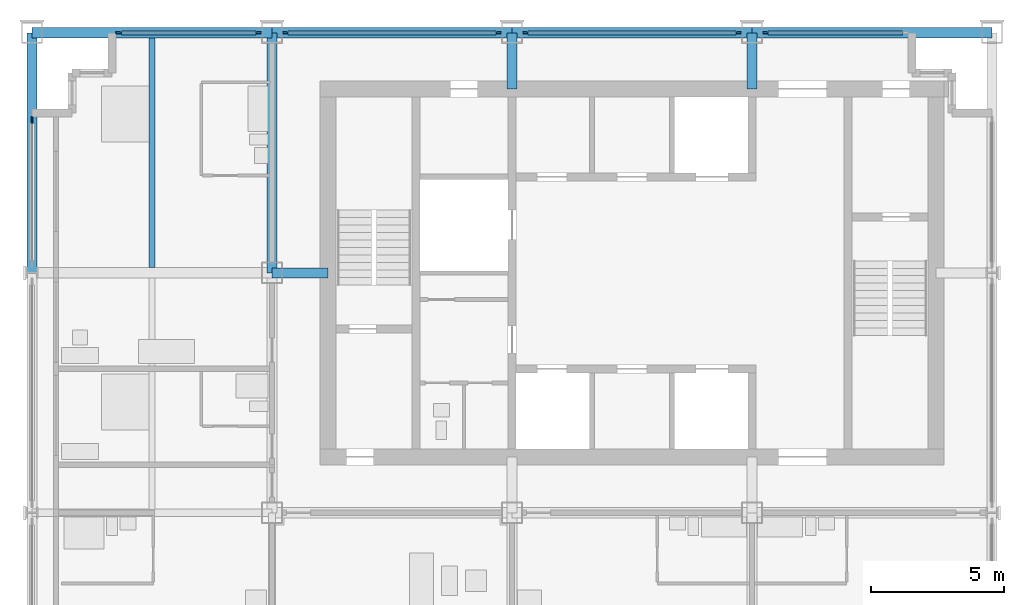
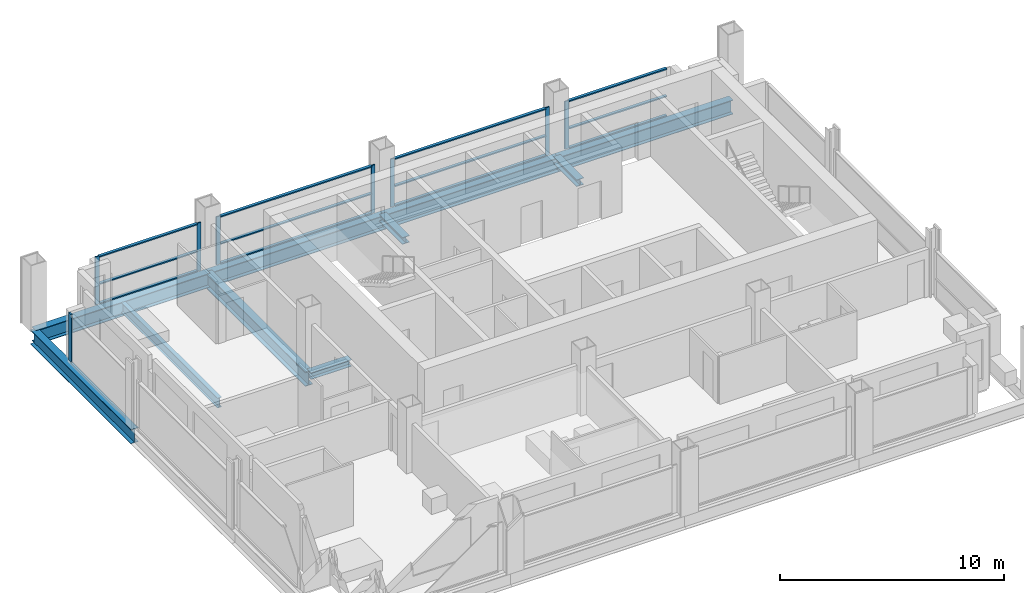
# One storey, part 3 of 11: 23 members, 7 beams, 5 elements without a shape of their own.
"""IFC4 building model written with IfcOpenShell, lengths in metres."""

from ifc_helpers import new_model, si_unit, direction, frame, origin, origin_2d, place, context, subcontext, project, spatial, rectangle, i_section, extrude, material, material_profile, profile_set, type_object, element, aggregate, save


model = new_model("IFC4")

# Units and contexts
model_context = context("Model", 3, precision=1e-05, world=origin(), true_north=direction((0.0, 1.0)))
body_context = subcontext(model_context, "Body", "Model", "MODEL_VIEW")
ifc_project = project(units=[si_unit("LENGTHUNIT", "METRE"), si_unit("AREAUNIT", "SQUARE_METRE"), si_unit("VOLUMEUNIT", "CUBIC_METRE"), si_unit("PLANEANGLEUNIT", "RADIAN"), si_unit("MASSUNIT", "GRAM", prefix="KILO")], contexts=[model_context])

# Site, building, storey
site_placement = place(None, origin())
site = spatial("IfcSite", under=ifc_project, at=site_placement, CompositionType="ELEMENT")
building_placement = place(site_placement, origin())
building = spatial("IfcBuilding", under=site, at=building_placement, Name="Loomwork Tower", CompositionType="ELEMENT")
storey_placement = place(building_placement, frame((0.0, 0.0, 244.60009765625)))
storey = spatial("IfcBuildingStorey", under=building, at=storey_placement, Name="L67", CompositionType="ELEMENT", Elevation=244.60009765625)

# Beam
ifc_material_1 = material(Name="Steel ASTM A992", Category="steel")
ifc_material_profile_1 = material_profile(ifc_material_1, i_section(OverallWidth=0.383544921875, OverallDepth=0.794921875, WebThickness=0.02099609375, FlangeThickness=0.0380859375, at=origin_2d()), Name="W30x235")
ifc_profile_set_1 = profile_set([ifc_material_profile_1], Name="Steel ASTM A992")
beam_type_1 = type_object("IfcBeamType", Name="CORE FLANK GIRDER W30x235", PredefinedType="BEAM", material=ifc_profile_set_1)
beam_1_placement = place(storey_placement, frame((9.0, 18.0, -0.59765625), z_axis=(0.0, 1.0, 0.0), x_axis=(-1.0, 0.0, 0.0)))
element("IfcBeam", 1, at=beam_1_placement, inside=storey, type_object=beam_type_1, Name="Core Flank Girder F/3-G/3 L67", PredefinedType="BEAM", context=body_context, shape_type="SweptSolid", body=[
    extrude(i_section(OverallWidth=0.383544921875, OverallDepth=0.794921875, WebThickness=0.02099609375, FlangeThickness=0.0380859375, at=origin_2d()), origin(), (0.0, 0.0, 1.0), 9.0),
])

# Members
ifc_material_2 = material(Name="Steel ASTM A992", Category="steel")
ifc_material_profile_2 = material_profile(ifc_material_2, i_section(OverallWidth=0.373291015625, OverallDepth=0.373291015625, WebThickness=0.016357421875, FlangeThickness=0.026123046875, at=origin_2d()), Name="W14x132")
ifc_profile_set_2 = profile_set([ifc_material_profile_2], Name="Steel ASTM A992")
member_type_1 = type_object("IfcMemberType", Name="CORE LINK STRUT W14x132", PredefinedType="STRUT", material=ifc_profile_set_2)
for number, where, z_axis, x_axis, name in (
    (2, (18.0, 27.0, -0.38671875), (0.0, -1.0, 0.0), (1.0, 0.0, 0.0), "Core link strut G/4-18.000,24.900 L67"),
    (3, (27.0, 27.0, -0.38671875), (0.0, -1.0, 0.0), (1.0, 0.0, 0.0), "Core link strut G/5-27.000,24.900 L67"),
    (4, (9.0, 18.0, -0.38671875), (1.0, 0.0, 0.0), (0.0, 1.0, 0.0), "Core link strut F/3-11.100,18.000 L67"),
):
    element("IfcMember", number, at=place(storey_placement, frame(where, z_axis=z_axis, x_axis=x_axis)), inside=storey, type_object=member_type_1, Name=name, PredefinedType="STRUT", context=body_context, shape_type="SweptSolid", body=[
        extrude(i_section(OverallWidth=0.373291015625, OverallDepth=0.373291015625, WebThickness=0.016357421875, FlangeThickness=0.026123046875, at=origin_2d()), origin(), (0.0, 0.0, 1.0), 2.10009765625),
    ])

# Beam
ifc_material_3 = material(Name="Steel ASTM A992", Category="steel")
ifc_material_profile_3 = material_profile(ifc_material_3, i_section(OverallWidth=0.2109375, OverallDepth=0.53857421875, WebThickness=0.011474609375, FlangeThickness=0.018798828125, at=origin_2d()), Name="W21x73")
ifc_profile_set_3 = profile_set([ifc_material_profile_3], Name="Steel ASTM A992")
beam_type_2 = type_object("IfcBeamType", Name="FLOOR JOIST W21x73", PredefinedType="JOIST", material=ifc_profile_set_3)
beam_2_placement = place(storey_placement, frame((4.5, 18.19091796875, -0.46923828125), z_axis=(0.0, 1.0, 0.0), x_axis=(-1.0, 0.0, 0.0)))
element("IfcBeam", 5, at=beam_2_placement, inside=storey, type_object=beam_type_2, Name="Floor Joist 4.500,18.000-4.500,27.000 L67", PredefinedType="JOIST", context=body_context, shape_type="SweptSolid", body=[
    extrude(i_section(OverallWidth=0.2109375, OverallDepth=0.53857421875, WebThickness=0.011474609375, FlangeThickness=0.018798828125, at=origin_2d()), origin(), (0.0, 0.0, 1.0), 8.619140625),
])

# Curtain wall, member
ifc_material_4 = material(Name="Aluminium curtain wall frame", Category="aluminium")
curtain_wall_type_1 = type_object("IfcCurtainWallType", Name="Outer skin glazing suites", PredefinedType="NOTDEFINED", material=ifc_material_4)
curtain_wall_1_placement = place(storey_placement, origin())
curtain_wall_1 = element("IfcCurtainWall", 6, at=curtain_wall_1_placement, inside=storey, type_object=curtain_wall_type_1, Name="Outer skin glazing suites cw/W-18", PredefinedType="NOTDEFINED")
ifc_material_5 = material(Name="Aluminium curtain wall frame", Category="aluminium")
ifc_material_profile_4 = material_profile(ifc_material_5, rectangle(XDim=0.06494140625, YDim=0.25, at=origin_2d()), Name="AL 65x250")
ifc_profile_set_4 = profile_set([ifc_material_profile_4], Name="Aluminium curtain wall frame")
member_type_2 = type_object("IfcMemberType", Name="Outer skin glazing suites mullion", PredefinedType="MULLION", material=ifc_profile_set_4)
member_1_placement = place(storey_placement, frame((0.0, 23.72509765625, 0.0), z_axis=(0.0, 0.0, 1.0), x_axis=(1.0, 0.0, 0.0)))
member_1 = element("IfcMember", 7, at=member_1_placement, type_object=member_type_2, Name="CW2 mullion 1", PredefinedType="MULLION", context=body_context, shape_type="SweptSolid", body=[
    extrude(rectangle(XDim=0.06494140625, YDim=0.25, at=origin_2d()), origin(), (0.0, 0.0, 1.0), 2.6201171875),
])
aggregate(curtain_wall_1, [member_1])

# Beams
ifc_material_6 = material(Name="Steel ASTM A992", Category="steel")
ifc_material_profile_5 = material_profile(ifc_material_6, i_section(OverallWidth=0.381103515625, OverallDepth=0.77978515625, WebThickness=0.01806640625, FlangeThickness=0.0302734375, at=origin_2d()), Name="W30x191")
ifc_profile_set_5 = profile_set([ifc_material_profile_5], Name="Steel ASTM A992")
beam_type_3 = type_object("IfcBeamType", Name="SPANDREL GIRDER W30x191", PredefinedType="SPANDREL", material=ifc_profile_set_5)
for number, where, z_axis, x_axis, name in (
    (8, (0.0, 27.0, -0.590087890625), (1.0, 0.0, 0.0), (0.0, 1.0, 0.0), "Spandrel Girder G/2-G/3 L67"),
    (9, (9.0, 27.0, -0.590087890625), (1.0, 0.0, 0.0), (0.0, 1.0, 0.0), "Spandrel Girder G/3-G/4 L67"),
    (10, (18.0, 27.0, -0.590087890625), (1.0, 0.0, 0.0), (0.0, 1.0, 0.0), "Spandrel Girder G/4-G/5 L67"),
    (11, (27.0, 27.0, -0.590087890625), (1.0, 0.0, 0.0), (0.0, 1.0, 0.0), "Spandrel Girder G/5-G/6 L67"),
    (12, (0.0, 18.0, -0.590087890625), (0.0, 1.0, 0.0), (-1.0, 0.0, 0.0), "Spandrel Girder F/2-G/2 L67"),
):
    element("IfcBeam", number, at=place(storey_placement, frame(where, z_axis=z_axis, x_axis=x_axis)), inside=storey, type_object=beam_type_3, Name=name, PredefinedType="SPANDREL", context=body_context, shape_type="SweptSolid", body=[
        extrude(i_section(OverallWidth=0.381103515625, OverallDepth=0.77978515625, WebThickness=0.01806640625, FlangeThickness=0.0302734375, at=origin_2d()), origin(), (0.0, 0.0, 1.0), 9.0),
    ])

# Curtain wall, members
ifc_material_7 = material(Name="Aluminium curtain wall frame", Category="aluminium")
curtain_wall_type_2 = type_object("IfcCurtainWallType", Name="Single skin glazing corridor", PredefinedType="NOTDEFINED", material=ifc_material_7)
curtain_wall_2_placement = place(storey_placement, origin())
curtain_wall_2 = element("IfcCurtainWall", 13, at=curtain_wall_2_placement, inside=storey, type_object=curtain_wall_type_2, Name="Single skin glazing corridor cw/N-0", PredefinedType="NOTDEFINED")
ifc_material_8 = material(Name="Aluminium curtain wall frame", Category="aluminium")
ifc_material_profile_6 = material_profile(ifc_material_8, rectangle(XDim=0.06494140625, YDim=0.199951171875, at=origin_2d()), Name="AL 65x200")
ifc_profile_set_6 = profile_set([ifc_material_profile_6], Name="Aluminium curtain wall frame")
member_type_3 = type_object("IfcMemberType", Name="Single skin glazing corridor mullion", PredefinedType="MULLION", material=ifc_profile_set_6)
member_2_placement = place(storey_placement, frame((8.5, 27.0, 0.0), z_axis=(0.0, 0.0, 1.0), x_axis=(0.0, -1.0, 0.0)))
member_2 = element("IfcMember", 14, at=member_2_placement, type_object=member_type_3, Name="CW3 mullion 1", PredefinedType="MULLION", context=body_context, shape_type="SweptSolid", body=[
    extrude(rectangle(XDim=0.06494140625, YDim=0.199951171875, at=origin_2d()), origin(), (0.0, 0.0, 1.0), 2.6201171875),
])
member_3_placement = place(storey_placement, frame((3.25, 27.0, 0.0), z_axis=(0.0, 0.0, 1.0), x_axis=(0.0, -1.0, 0.0)))
member_3 = element("IfcMember", 15, at=member_3_placement, type_object=member_type_3, Name="CW3 mullion 2", PredefinedType="MULLION", context=body_context, shape_type="SweptSolid", body=[
    extrude(rectangle(XDim=0.06494140625, YDim=0.199951171875, at=origin_2d()), origin(), (0.0, 0.0, 1.0), 2.6201171875),
])

curtain_wall_3_placement = place(storey_placement, origin())
curtain_wall_3 = element("IfcCurtainWall", 16, at=curtain_wall_3_placement, inside=storey, type_object=curtain_wall_type_2, Name="Single skin glazing corridor cw/N-9", PredefinedType="NOTDEFINED")
member_4_placement = place(storey_placement, frame((17.5, 27.0, 0.0), z_axis=(0.0, 0.0, 1.0), x_axis=(0.0, -1.0, 0.0)))
member_4 = element("IfcMember", 17, at=member_4_placement, type_object=member_type_3, Name="CW3 mullion 1", PredefinedType="MULLION", context=body_context, shape_type="SweptSolid", body=[
    extrude(rectangle(XDim=0.06494140625, YDim=0.199951171875, at=origin_2d()), origin(), (0.0, 0.0, 1.0), 2.6201171875),
])
member_5_placement = place(storey_placement, frame((9.5, 27.0, 0.0), z_axis=(0.0, 0.0, 1.0), x_axis=(0.0, -1.0, 0.0)))
member_5 = element("IfcMember", 18, at=member_5_placement, type_object=member_type_3, Name="CW3 mullion 2", PredefinedType="MULLION", context=body_context, shape_type="SweptSolid", body=[
    extrude(rectangle(XDim=0.06494140625, YDim=0.199951171875, at=origin_2d()), origin(), (0.0, 0.0, 1.0), 2.6201171875),
])

curtain_wall_4_placement = place(storey_placement, origin())
curtain_wall_4 = element("IfcCurtainWall", 19, at=curtain_wall_4_placement, inside=storey, type_object=curtain_wall_type_2, Name="Single skin glazing corridor cw/N-18", PredefinedType="NOTDEFINED")
member_6_placement = place(storey_placement, frame((26.5, 27.0, 0.0), z_axis=(0.0, 0.0, 1.0), x_axis=(0.0, -1.0, 0.0)))
member_6 = element("IfcMember", 20, at=member_6_placement, type_object=member_type_3, Name="CW3 mullion 1", PredefinedType="MULLION", context=body_context, shape_type="SweptSolid", body=[
    extrude(rectangle(XDim=0.06494140625, YDim=0.199951171875, at=origin_2d()), origin(), (0.0, 0.0, 1.0), 2.6201171875),
])
member_7_placement = place(storey_placement, frame((18.5, 27.0, 0.0), z_axis=(0.0, 0.0, 1.0), x_axis=(0.0, -1.0, 0.0)))
member_7 = element("IfcMember", 21, at=member_7_placement, type_object=member_type_3, Name="CW3 mullion 2", PredefinedType="MULLION", context=body_context, shape_type="SweptSolid", body=[
    extrude(rectangle(XDim=0.06494140625, YDim=0.199951171875, at=origin_2d()), origin(), (0.0, 0.0, 1.0), 2.6201171875),
])

# Curtain wall, member
curtain_wall_5_placement = place(storey_placement, origin())
curtain_wall_5 = element("IfcCurtainWall", 22, at=curtain_wall_5_placement, inside=storey, type_object=curtain_wall_type_2, Name="Single skin glazing corridor cw/N-27", PredefinedType="NOTDEFINED")
member_8_placement = place(storey_placement, frame((27.5, 27.0, 0.0), z_axis=(0.0, 0.0, 1.0), x_axis=(0.0, -1.0, 0.0)))
member_8 = element("IfcMember", 23, at=member_8_placement, type_object=member_type_3, Name="CW3 mullion 2", PredefinedType="MULLION", context=body_context, shape_type="SweptSolid", body=[
    extrude(rectangle(XDim=0.06494140625, YDim=0.199951171875, at=origin_2d()), origin(), (0.0, 0.0, 1.0), 2.6201171875),
])

# Member
ifc_material_9 = material(Name="Aluminium curtain wall frame", Category="aluminium")
ifc_material_profile_7 = material_profile(ifc_material_9, rectangle(XDim=0.14990234375, YDim=0.06494140625, at=origin_2d()), Name="AL 65x150")
ifc_profile_set_7 = profile_set([ifc_material_profile_7], Name="Aluminium curtain wall frame")
member_type_4 = type_object("IfcMemberType", Name="Single skin glazing corridor transom", PredefinedType="USERDEFINED", material=ifc_profile_set_7)
member_9_placement = place(storey_placement, frame((8.39990234375, 27.0, 0.032470703125), z_axis=(-1.0, 0.0, 0.0), x_axis=(0.0, -1.0, 0.0)))
member_9 = element("IfcMember", 24, at=member_9_placement, type_object=member_type_4, Name="CW3 transom 1.1", ObjectType="TRANSOM", PredefinedType="USERDEFINED", context=body_context, shape_type="SweptSolid", body=[
    extrude(rectangle(XDim=0.14990234375, YDim=0.06494140625, at=origin_2d()), origin(), (0.0, 0.0, 1.0), 5.0498046875),
])

member_10_placement = place(storey_placement, frame((8.39990234375, 27.0, 1.099853515625), z_axis=(-1.0, 0.0, 0.0), x_axis=(0.0, -1.0, 0.0)))
member_10 = element("IfcMember", 25, at=member_10_placement, type_object=member_type_4, Name="CW3 transom 1.2", ObjectType="TRANSOM", PredefinedType="USERDEFINED", context=body_context, shape_type="SweptSolid", body=[
    extrude(rectangle(XDim=0.14990234375, YDim=0.06494140625, at=origin_2d()), origin(), (0.0, 0.0, 1.0), 5.0498046875),
])

member_11_placement = place(storey_placement, frame((8.39990234375, 27.0, 2.587646484375), z_axis=(-1.0, 0.0, 0.0), x_axis=(0.0, -1.0, 0.0)))
member_11 = element("IfcMember", 26, at=member_11_placement, type_object=member_type_4, Name="CW3 transom 1.3", ObjectType="TRANSOM", PredefinedType="USERDEFINED", context=body_context, shape_type="SweptSolid", body=[
    extrude(rectangle(XDim=0.14990234375, YDim=0.06494140625, at=origin_2d()), origin(), (0.0, 0.0, 1.0), 5.0498046875),
])

aggregate(curtain_wall_2, [member_2, member_3, member_9, member_10, member_11])

member_12_placement = place(storey_placement, frame((17.39990234375, 27.0, 0.032470703125), z_axis=(-1.0, 0.0, 0.0), x_axis=(0.0, -1.0, 0.0)))
member_12 = element("IfcMember", 27, at=member_12_placement, type_object=member_type_4, Name="CW3 transom 1.1", ObjectType="TRANSOM", PredefinedType="USERDEFINED", context=body_context, shape_type="SweptSolid", body=[
    extrude(rectangle(XDim=0.14990234375, YDim=0.06494140625, at=origin_2d()), origin(), (0.0, 0.0, 1.0), 7.7998046875),
])

member_13_placement = place(storey_placement, frame((17.39990234375, 27.0, 1.099853515625), z_axis=(-1.0, 0.0, 0.0), x_axis=(0.0, -1.0, 0.0)))
member_13 = element("IfcMember", 28, at=member_13_placement, type_object=member_type_4, Name="CW3 transom 1.2", ObjectType="TRANSOM", PredefinedType="USERDEFINED", context=body_context, shape_type="SweptSolid", body=[
    extrude(rectangle(XDim=0.14990234375, YDim=0.06494140625, at=origin_2d()), origin(), (0.0, 0.0, 1.0), 7.7998046875),
])

member_14_placement = place(storey_placement, frame((17.39990234375, 27.0, 2.587646484375), z_axis=(-1.0, 0.0, 0.0), x_axis=(0.0, -1.0, 0.0)))
member_14 = element("IfcMember", 29, at=member_14_placement, type_object=member_type_4, Name="CW3 transom 1.3", ObjectType="TRANSOM", PredefinedType="USERDEFINED", context=body_context, shape_type="SweptSolid", body=[
    extrude(rectangle(XDim=0.14990234375, YDim=0.06494140625, at=origin_2d()), origin(), (0.0, 0.0, 1.0), 7.7998046875),
])

aggregate(curtain_wall_3, [member_4, member_5, member_12, member_13, member_14])

member_15_placement = place(storey_placement, frame((26.39990234375, 27.0, 0.032470703125), z_axis=(-1.0, 0.0, 0.0), x_axis=(0.0, -1.0, 0.0)))
member_15 = element("IfcMember", 30, at=member_15_placement, type_object=member_type_4, Name="CW3 transom 1.1", ObjectType="TRANSOM", PredefinedType="USERDEFINED", context=body_context, shape_type="SweptSolid", body=[
    extrude(rectangle(XDim=0.14990234375, YDim=0.06494140625, at=origin_2d()), origin(), (0.0, 0.0, 1.0), 7.7998046875),
])

member_16_placement = place(storey_placement, frame((26.39990234375, 27.0, 1.099853515625), z_axis=(-1.0, 0.0, 0.0), x_axis=(0.0, -1.0, 0.0)))
member_16 = element("IfcMember", 31, at=member_16_placement, type_object=member_type_4, Name="CW3 transom 1.2", ObjectType="TRANSOM", PredefinedType="USERDEFINED", context=body_context, shape_type="SweptSolid", body=[
    extrude(rectangle(XDim=0.14990234375, YDim=0.06494140625, at=origin_2d()), origin(), (0.0, 0.0, 1.0), 7.7998046875),
])

member_17_placement = place(storey_placement, frame((26.39990234375, 27.0, 2.587646484375), z_axis=(-1.0, 0.0, 0.0), x_axis=(0.0, -1.0, 0.0)))
member_17 = element("IfcMember", 32, at=member_17_placement, type_object=member_type_4, Name="CW3 transom 1.3", ObjectType="TRANSOM", PredefinedType="USERDEFINED", context=body_context, shape_type="SweptSolid", body=[
    extrude(rectangle(XDim=0.14990234375, YDim=0.06494140625, at=origin_2d()), origin(), (0.0, 0.0, 1.0), 7.7998046875),
])

aggregate(curtain_wall_4, [member_6, member_7, member_15, member_16, member_17])

member_18_placement = place(storey_placement, frame((32.64990234375, 27.0, 0.032470703125), z_axis=(-1.0, 0.0, 0.0), x_axis=(0.0, -1.0, 0.0)))
member_18 = element("IfcMember", 33, at=member_18_placement, type_object=member_type_4, Name="CW3 transom 1.1", ObjectType="TRANSOM", PredefinedType="USERDEFINED", context=body_context, shape_type="SweptSolid", body=[
    extrude(rectangle(XDim=0.14990234375, YDim=0.06494140625, at=origin_2d()), origin(), (0.0, 0.0, 1.0), 5.0498046875),
])

member_19_placement = place(storey_placement, frame((32.64990234375, 27.0, 1.099853515625), z_axis=(-1.0, 0.0, 0.0), x_axis=(0.0, -1.0, 0.0)))
member_19 = element("IfcMember", 34, at=member_19_placement, type_object=member_type_4, Name="CW3 transom 1.2", ObjectType="TRANSOM", PredefinedType="USERDEFINED", context=body_context, shape_type="SweptSolid", body=[
    extrude(rectangle(XDim=0.14990234375, YDim=0.06494140625, at=origin_2d()), origin(), (0.0, 0.0, 1.0), 5.0498046875),
])

member_20_placement = place(storey_placement, frame((32.64990234375, 27.0, 2.587646484375), z_axis=(-1.0, 0.0, 0.0), x_axis=(0.0, -1.0, 0.0)))
member_20 = element("IfcMember", 35, at=member_20_placement, type_object=member_type_4, Name="CW3 transom 1.3", ObjectType="TRANSOM", PredefinedType="USERDEFINED", context=body_context, shape_type="SweptSolid", body=[
    extrude(rectangle(XDim=0.14990234375, YDim=0.06494140625, at=origin_2d()), origin(), (0.0, 0.0, 1.0), 5.0498046875),
])

aggregate(curtain_wall_5, [member_8, member_18, member_19, member_20])

save(model, "model.ifc")
